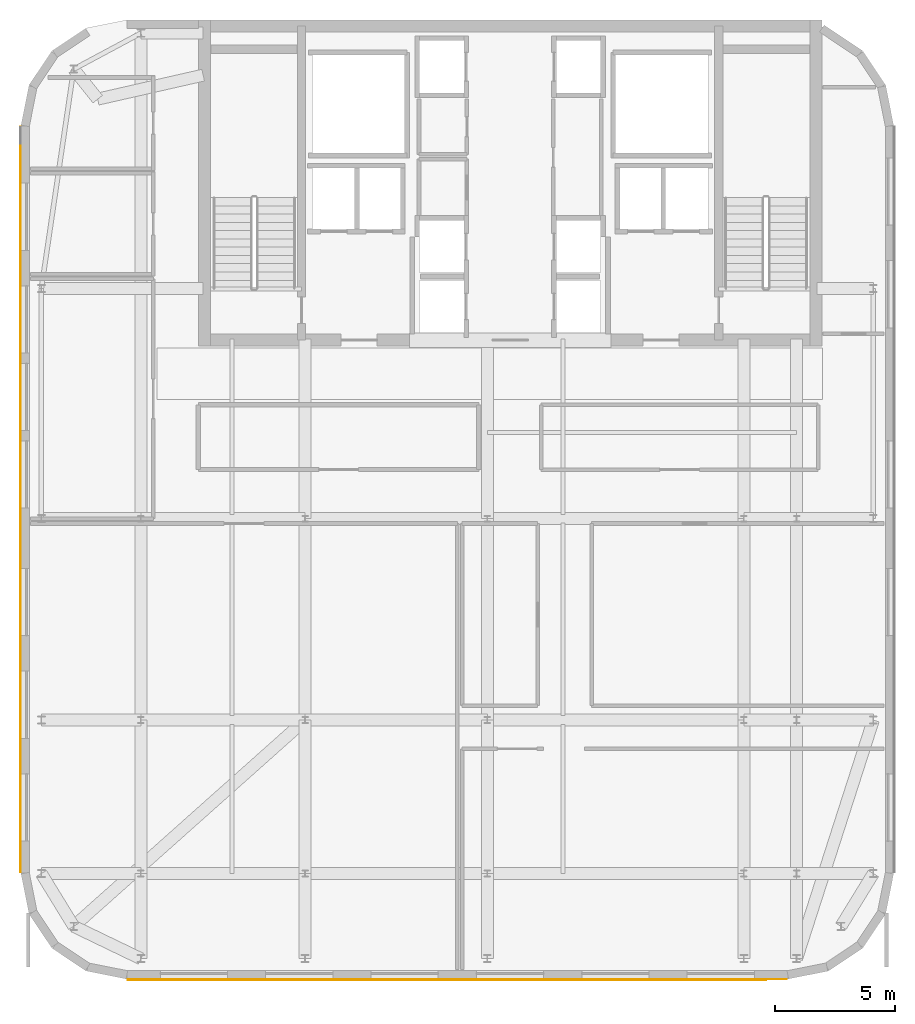
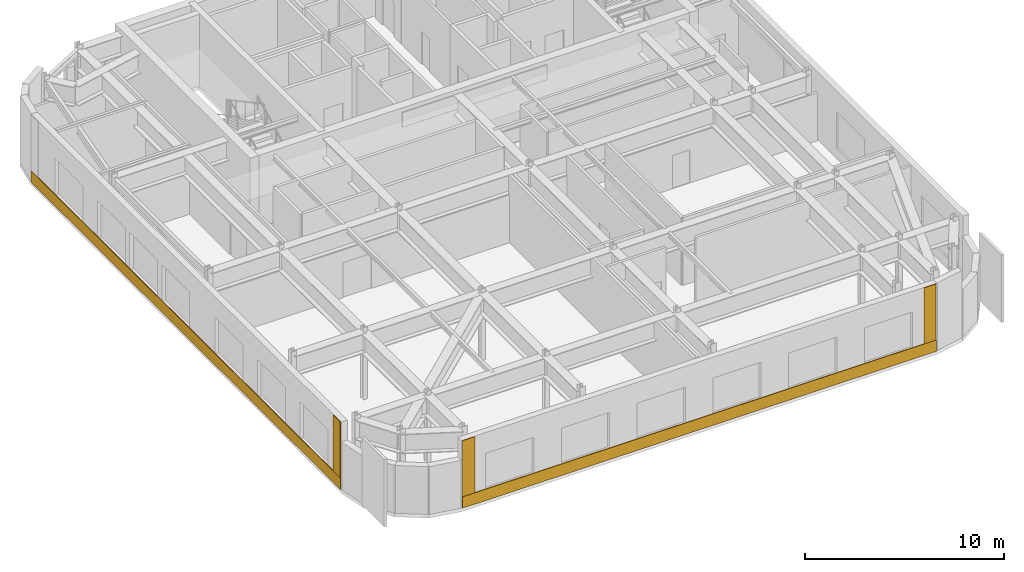
# One storey, part 10 of 13: 5 coverings.
"""IFC4 building model written with IfcOpenShell, lengths in metres."""

from ifc_helpers import new_model, si_unit, direction, frame, origin, place, context, subcontext, project, spatial, polyline, outline, extrude, material, layer, layer_set, type_object, element, save


model = new_model("IFC4")

# Units and contexts
model_context = context("Model", 3, precision=1e-05, world=origin(), true_north=direction((0.0, 1.0)))
body_context = subcontext(model_context, "Body", "Model", "MODEL_VIEW")
ifc_project = project(units=[si_unit("LENGTHUNIT", "METRE"), si_unit("AREAUNIT", "SQUARE_METRE"), si_unit("VOLUMEUNIT", "CUBIC_METRE"), si_unit("PLANEANGLEUNIT", "RADIAN"), si_unit("MASSUNIT", "GRAM", prefix="KILO")], contexts=[model_context])

# Site, building, storey
site_placement = place(None, origin())
site = spatial("IfcSite", under=ifc_project, at=site_placement, CompositionType="ELEMENT")
building_placement = place(site_placement, origin())
building = spatial("IfcBuilding", under=site, at=building_placement, Name="Tolvann Quenvar Hotel", CompositionType="ELEMENT")
storey_placement = place(building_placement, frame((0.0, 0.0, 286.550048828125)))
storey = spatial("IfcBuildingStorey", under=building, at=storey_placement, Name="L76", CompositionType="ELEMENT", Elevation=286.550048828125)

# Coverings
ifc_material_1 = material(Name="Kiln-fired red architectural face brick cladding", Category="masonry")
ifc_layer_1 = layer(ifc_material_1, 0.0400390625)
ifc_layer_set_1 = layer_set([ifc_layer_1], Name="Kiln-fired red architectural face brick cladding")
covering_type_1 = type_object("IfcCoveringType", Name="COV_CLAD_BRICK_40", PredefinedType="CLADDING", material=ifc_layer_set_1)
covering_1_placement = place(storey_placement, frame((0.0, 0.0, 0.699951171875)))
element("IfcCovering", 1, at=covering_1_placement, inside=storey, type_object=covering_type_1, Name="Brick Pier Cladding (L76-E04-P1)", PredefinedType="CLADDING", context=body_context, shape_type="SweptSolid", body=[
    extrude(outline(polyline([(7.067138671875, 5.199951171875), (7.76708984375, 5.199951171875), (7.76708984375, 5.159912109375), (7.067138671875, 5.159912109375), (7.067138671875, 5.199951171875)])), origin(), (0.0, 0.0, 1.0), 3.43994140625),
])
covering_2_placement = place(storey_placement, frame((0.0, 0.0, 0.699951171875)))
element("IfcCovering", 2, at=covering_2_placement, inside=storey, type_object=covering_type_1, Name="Brick Pier Cladding (L76-E04-P2)", PredefinedType="CLADDING", context=body_context, shape_type="SweptSolid", body=[
    extrude(outline(polyline([(33.832763671875, 5.199951171875), (34.53271484375, 5.199951171875), (34.53271484375, 5.159912109375), (33.832763671875, 5.159912109375), (33.832763671875, 5.199951171875)])), origin(), (0.0, 0.0, 1.0), 3.43994140625),
])
covering_3_placement = place(storey_placement, frame((0.0, 0.0, 0.699951171875)))
element("IfcCovering", 3, at=covering_3_placement, inside=storey, type_object=covering_type_1, Name="Brick Pier Cladding (L76-E19-P2)", PredefinedType="CLADDING", context=body_context, shape_type="SweptSolid", body=[
    extrude(outline(polyline([(2.60009765625, 10.3671875), (2.60009765625, 9.667236328125), (2.56005859375, 9.667236328125), (2.56005859375, 10.3671875), (2.60009765625, 10.3671875)])), origin(), (0.0, 0.0, 1.0), 3.43994140625),
])
ifc_material_2 = material(Name="Moulded buff architectural terracotta spandrel cladding", Category="masonry")
ifc_layer_2 = layer(ifc_material_2, 0.0400390625)
ifc_layer_set_2 = layer_set([ifc_layer_2], Name="Moulded buff architectural terracotta spandrel cladding")
covering_type_2 = type_object("IfcCoveringType", Name="COV_CLAD_TERRA_40", PredefinedType="CLADDING", material=ifc_layer_set_2)
covering_4_placement = place(storey_placement, origin())
element("IfcCovering", 4, at=covering_4_placement, inside=storey, type_object=covering_type_2, Name="Terracotta Spandrel Cladding (L76-E04)", PredefinedType="CLADDING", context=body_context, shape_type="SweptSolid", body=[
    extrude(outline(polyline([(7.05712890625, 5.199951171875), (34.542724609375, 5.199951171875), (34.542724609375, 5.159912109375), (7.05712890625, 5.159912109375), (7.05712890625, 5.199951171875)])), origin(), (0.0, 0.0, 1.0), 0.699951171875),
])
covering_5_placement = place(storey_placement, origin())
element("IfcCovering", 5, at=covering_5_placement, inside=storey, type_object=covering_type_2, Name="Terracotta Spandrel Cladding (L76-E19)", PredefinedType="CLADDING", context=body_context, shape_type="SweptSolid", body=[
    extrude(outline(polyline([(2.60009765625, 40.742919921875), (2.60009765625, 9.6572265625), (2.56005859375, 9.6572265625), (2.56005859375, 40.742919921875), (2.60009765625, 40.742919921875)])), origin(), (0.0, 0.0, 1.0), 0.699951171875),
])

save(model, "model.ifc")
